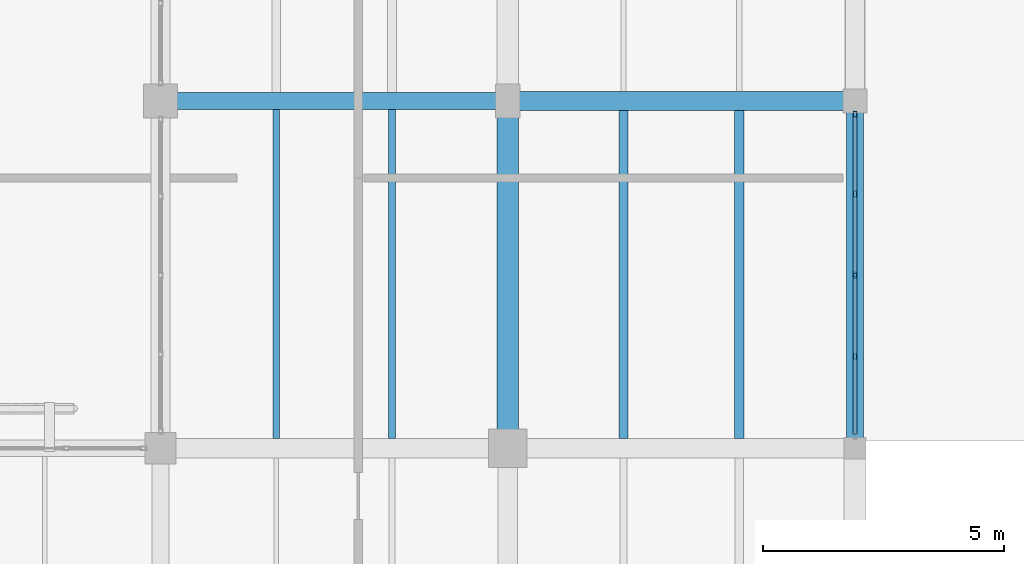
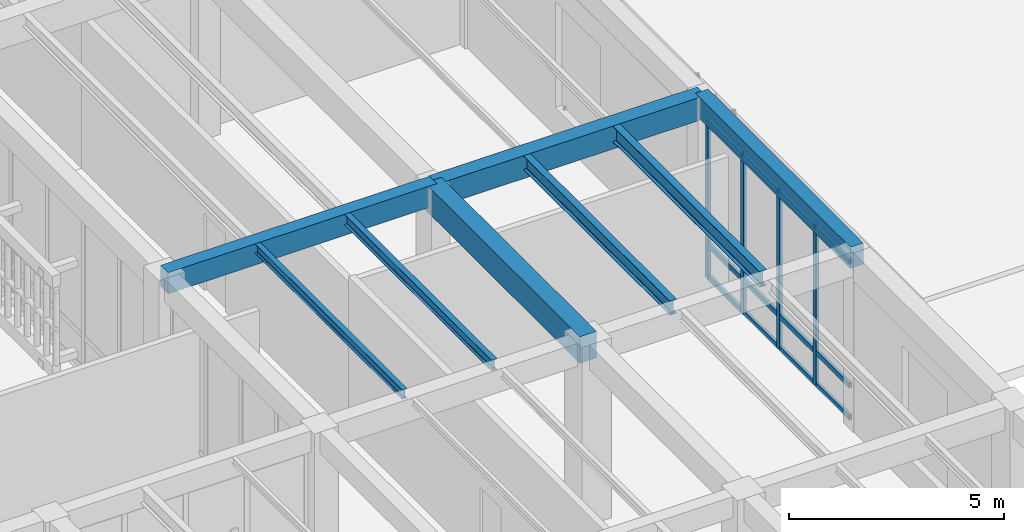
# One storey, part 36 of 169: 16 members, 8 beams, 1 element without a shape of its own.
"""IFC4 building model written with IfcOpenShell, lengths in metres."""

from ifc_helpers import new_model, si_unit, direction, frame, origin, origin_2d, place, context, subcontext, project, spatial, rectangle, hollow_rectangle, i_section, extrude, material, layer, layer_set, material_profile, profile_set, type_object, element, aggregate, save


model = new_model("IFC4")

# Units and contexts
model_context = context("Model", 3, precision=1e-05, world=origin(), true_north=direction((0.0, 1.0)))
body_context = subcontext(model_context, "Body", "Model", "MODEL_VIEW")
ifc_project = project(units=[si_unit("LENGTHUNIT", "METRE"), si_unit("AREAUNIT", "SQUARE_METRE"), si_unit("VOLUMEUNIT", "CUBIC_METRE"), si_unit("PLANEANGLEUNIT", "RADIAN"), si_unit("MASSUNIT", "GRAM", prefix="KILO")], contexts=[model_context])

# Site, building, storey
site_placement = place(None, origin())
site = spatial("IfcSite", under=ifc_project, at=site_placement, CompositionType="ELEMENT")
building_placement = place(site_placement, origin())
building = spatial("IfcBuilding", under=site, at=building_placement, Name="Mazaris Harbour Polytechnic", CompositionType="ELEMENT")
storey_placement = place(building_placement, origin())
storey = spatial("IfcBuildingStorey", under=building, at=storey_placement, Name="L00", CompositionType="ELEMENT", Elevation=0.0)

# Curtain wall, members
ifc_material_1 = material(Name="Anodised Bronze Aluminium and Low-E Glass", Category="aluminium")
ifc_layer = layer(ifc_material_1, 0.159912109375, Name="Anodised Bronze Aluminium and Low-E Glass")
ifc_layer_set = layer_set([ifc_layer], Name="Anodised Bronze Aluminium and Low-E Glass")
curtain_wall_type = type_object("IfcCurtainWallType", Name="Cloister Court Curtain Wall", PredefinedType="NOTDEFINED", material=ifc_layer_set)
curtain_wall_placement = place(storey_placement, origin())
curtain_wall = element("IfcCurtainWall", 1, at=curtain_wall_placement, inside=storey, type_object=curtain_wall_type, Name="V4 L00 Curtain Wall 96", PredefinedType="NOTDEFINED")
ifc_material_2 = material(Name="Anodised Bronze Steel S355", Category="steel")
ifc_material_profile_1 = material_profile(ifc_material_2, hollow_rectangle(XDim=0.080078125, YDim=0.139892578125, WallThickness=0.00634765625, at=origin_2d()), Name="RHS 80x140x6.3")
ifc_profile_set_1 = profile_set([ifc_material_profile_1], Name="Anodised Bronze Steel S355")
member_type_1 = type_object("IfcMemberType", Name="Curtain Mullion RHS80x140", PredefinedType="MULLION", material=ifc_profile_set_1)
member_1_placement = place(storey_placement, frame((43.199951171875, 42.91796875, 0.0), z_axis=(0.0, 0.0, 1.0), x_axis=(1.0, 0.0, 0.0)))
member_1 = element("IfcMember", 2, at=member_1_placement, type_object=member_type_1, Name="CW-02 mullion 1", PredefinedType="MULLION", context=body_context, shape_type="SweptSolid", body=[
    extrude(hollow_rectangle(XDim=0.080078125, YDim=0.139892578125, WallThickness=0.00634765625, at=origin_2d()), origin(), (0.0, 0.0, 1.0), 4.489990234375),
])
member_2_placement = place(storey_placement, frame((43.199951171875, 41.272705078125, 0.0), z_axis=(0.0, 0.0, 1.0), x_axis=(1.0, 0.0, 0.0)))
member_2 = element("IfcMember", 3, at=member_2_placement, type_object=member_type_1, Name="CW-02 mullion 2", PredefinedType="MULLION", context=body_context, shape_type="SweptSolid", body=[
    extrude(hollow_rectangle(XDim=0.080078125, YDim=0.139892578125, WallThickness=0.00634765625, at=origin_2d()), origin(), (0.0, 0.0, 1.0), 4.489990234375),
])
member_3_placement = place(storey_placement, frame((43.199951171875, 39.58740234375, 0.0), z_axis=(0.0, 0.0, 1.0), x_axis=(1.0, 0.0, 0.0)))
member_3 = element("IfcMember", 4, at=member_3_placement, type_object=member_type_1, Name="CW-02 mullion 3", PredefinedType="MULLION", context=body_context, shape_type="SweptSolid", body=[
    extrude(hollow_rectangle(XDim=0.080078125, YDim=0.139892578125, WallThickness=0.00634765625, at=origin_2d()), origin(), (0.0, 0.0, 1.0), 4.489990234375),
])
member_4_placement = place(storey_placement, frame((43.199951171875, 37.90234375, 0.0), z_axis=(0.0, 0.0, 1.0), x_axis=(1.0, 0.0, 0.0)))
member_4 = element("IfcMember", 5, at=member_4_placement, type_object=member_type_1, Name="CW-02 mullion 4", PredefinedType="MULLION", context=body_context, shape_type="SweptSolid", body=[
    extrude(hollow_rectangle(XDim=0.080078125, YDim=0.139892578125, WallThickness=0.00634765625, at=origin_2d()), origin(), (0.0, 0.0, 1.0), 4.489990234375),
])
ifc_material_3 = material(Name="Anodised Bronze Steel S355", Category="steel")
ifc_material_profile_2 = material_profile(ifc_material_3, hollow_rectangle(XDim=0.080078125, YDim=0.139892578125, WallThickness=0.00634765625, at=origin_2d()), Name="RHS 80x140x6.3")
ifc_profile_set_2 = profile_set([ifc_material_profile_2], Name="Anodised Bronze Steel S355")
member_type_2 = type_object("IfcMemberType", Name="Curtain Transom RHS80x140", PredefinedType="USERDEFINED", material=ifc_profile_set_2)
member_5_placement = place(storey_placement, frame((43.199951171875, 42.8779296875, 0.0400390625), z_axis=(0.0, -1.0, 0.0), x_axis=(1.0, 0.0, 0.0)))
member_5 = element("IfcMember", 6, at=member_5_placement, type_object=member_type_2, Name="CW-02 transom 1.1", ObjectType="TRANSOM", PredefinedType="USERDEFINED", context=body_context, shape_type="SweptSolid", body=[
    extrude(hollow_rectangle(XDim=0.080078125, YDim=0.139892578125, WallThickness=0.00634765625, at=origin_2d()), origin(), (0.0, 0.0, 1.0), 1.565185546875),
])
member_6_placement = place(storey_placement, frame((43.199951171875, 42.8779296875, 0.949951171875), z_axis=(0.0, -1.0, 0.0), x_axis=(1.0, 0.0, 0.0)))
member_6 = element("IfcMember", 7, at=member_6_placement, type_object=member_type_2, Name="CW-02 transom 1.2", ObjectType="TRANSOM", PredefinedType="USERDEFINED", context=body_context, shape_type="SweptSolid", body=[
    extrude(hollow_rectangle(XDim=0.080078125, YDim=0.139892578125, WallThickness=0.00634765625, at=origin_2d()), origin(), (0.0, 0.0, 1.0), 1.565185546875),
])
member_7_placement = place(storey_placement, frame((43.199951171875, 42.8779296875, 4.449951171875), z_axis=(0.0, -1.0, 0.0), x_axis=(1.0, 0.0, 0.0)))
member_7 = element("IfcMember", 8, at=member_7_placement, type_object=member_type_2, Name="CW-02 transom 1.3", ObjectType="TRANSOM", PredefinedType="USERDEFINED", context=body_context, shape_type="SweptSolid", body=[
    extrude(hollow_rectangle(XDim=0.080078125, YDim=0.139892578125, WallThickness=0.00634765625, at=origin_2d()), origin(), (0.0, 0.0, 1.0), 1.565185546875),
])
member_8_placement = place(storey_placement, frame((43.199951171875, 41.232666015625, 0.0400390625), z_axis=(0.0, -1.0, 0.0), x_axis=(1.0, 0.0, 0.0)))
member_8 = element("IfcMember", 9, at=member_8_placement, type_object=member_type_2, Name="CW-02 transom 2.1", ObjectType="TRANSOM", PredefinedType="USERDEFINED", context=body_context, shape_type="SweptSolid", body=[
    extrude(hollow_rectangle(XDim=0.080078125, YDim=0.139892578125, WallThickness=0.00634765625, at=origin_2d()), origin(), (0.0, 0.0, 1.0), 1.605224609375),
])
member_9_placement = place(storey_placement, frame((43.199951171875, 41.232666015625, 0.949951171875), z_axis=(0.0, -1.0, 0.0), x_axis=(1.0, 0.0, 0.0)))
member_9 = element("IfcMember", 10, at=member_9_placement, type_object=member_type_2, Name="CW-02 transom 2.2", ObjectType="TRANSOM", PredefinedType="USERDEFINED", context=body_context, shape_type="SweptSolid", body=[
    extrude(hollow_rectangle(XDim=0.080078125, YDim=0.139892578125, WallThickness=0.00634765625, at=origin_2d()), origin(), (0.0, 0.0, 1.0), 1.605224609375),
])
member_10_placement = place(storey_placement, frame((43.199951171875, 41.232666015625, 4.449951171875), z_axis=(0.0, -1.0, 0.0), x_axis=(1.0, 0.0, 0.0)))
member_10 = element("IfcMember", 11, at=member_10_placement, type_object=member_type_2, Name="CW-02 transom 2.3", ObjectType="TRANSOM", PredefinedType="USERDEFINED", context=body_context, shape_type="SweptSolid", body=[
    extrude(hollow_rectangle(XDim=0.080078125, YDim=0.139892578125, WallThickness=0.00634765625, at=origin_2d()), origin(), (0.0, 0.0, 1.0), 1.605224609375),
])
member_11_placement = place(storey_placement, frame((43.199951171875, 39.547607421875, 0.0400390625), z_axis=(0.0, -1.0, 0.0), x_axis=(1.0, 0.0, 0.0)))
member_11 = element("IfcMember", 12, at=member_11_placement, type_object=member_type_2, Name="CW-02 transom 3.1", ObjectType="TRANSOM", PredefinedType="USERDEFINED", context=body_context, shape_type="SweptSolid", body=[
    extrude(hollow_rectangle(XDim=0.080078125, YDim=0.139892578125, WallThickness=0.00634765625, at=origin_2d()), origin(), (0.0, 0.0, 1.0), 1.60546875),
])
member_12_placement = place(storey_placement, frame((43.199951171875, 39.547607421875, 0.949951171875), z_axis=(0.0, -1.0, 0.0), x_axis=(1.0, 0.0, 0.0)))
member_12 = element("IfcMember", 13, at=member_12_placement, type_object=member_type_2, Name="CW-02 transom 3.2", ObjectType="TRANSOM", PredefinedType="USERDEFINED", context=body_context, shape_type="SweptSolid", body=[
    extrude(hollow_rectangle(XDim=0.080078125, YDim=0.139892578125, WallThickness=0.00634765625, at=origin_2d()), origin(), (0.0, 0.0, 1.0), 1.60546875),
])
member_13_placement = place(storey_placement, frame((43.199951171875, 39.547607421875, 4.449951171875), z_axis=(0.0, -1.0, 0.0), x_axis=(1.0, 0.0, 0.0)))
member_13 = element("IfcMember", 14, at=member_13_placement, type_object=member_type_2, Name="CW-02 transom 3.3", ObjectType="TRANSOM", PredefinedType="USERDEFINED", context=body_context, shape_type="SweptSolid", body=[
    extrude(hollow_rectangle(XDim=0.080078125, YDim=0.139892578125, WallThickness=0.00634765625, at=origin_2d()), origin(), (0.0, 0.0, 1.0), 1.60546875),
])
member_14_placement = place(storey_placement, frame((43.199951171875, 37.8623046875, 0.0400390625), z_axis=(0.0, -1.0, 0.0), x_axis=(1.0, 0.0, 0.0)))
member_14 = element("IfcMember", 15, at=member_14_placement, type_object=member_type_2, Name="CW-02 transom 4.1", ObjectType="TRANSOM", PredefinedType="USERDEFINED", context=body_context, shape_type="SweptSolid", body=[
    extrude(hollow_rectangle(XDim=0.080078125, YDim=0.139892578125, WallThickness=0.00634765625, at=origin_2d()), origin(), (0.0, 0.0, 1.0), 1.565185546875),
])
member_15_placement = place(storey_placement, frame((43.199951171875, 37.8623046875, 0.949951171875), z_axis=(0.0, -1.0, 0.0), x_axis=(1.0, 0.0, 0.0)))
member_15 = element("IfcMember", 16, at=member_15_placement, type_object=member_type_2, Name="CW-02 transom 4.2", ObjectType="TRANSOM", PredefinedType="USERDEFINED", context=body_context, shape_type="SweptSolid", body=[
    extrude(hollow_rectangle(XDim=0.080078125, YDim=0.139892578125, WallThickness=0.00634765625, at=origin_2d()), origin(), (0.0, 0.0, 1.0), 1.565185546875),
])
member_16_placement = place(storey_placement, frame((43.199951171875, 37.8623046875, 4.449951171875), z_axis=(0.0, -1.0, 0.0), x_axis=(1.0, 0.0, 0.0)))
member_16 = element("IfcMember", 17, at=member_16_placement, type_object=member_type_2, Name="CW-02 transom 4.3", ObjectType="TRANSOM", PredefinedType="USERDEFINED", context=body_context, shape_type="SweptSolid", body=[
    extrude(hollow_rectangle(XDim=0.080078125, YDim=0.139892578125, WallThickness=0.00634765625, at=origin_2d()), origin(), (0.0, 0.0, 1.0), 1.565185546875),
])
aggregate(curtain_wall, [member_1, member_2, member_3, member_4, member_5, member_6, member_7, member_8, member_9, member_10, member_11, member_12, member_13, member_14, member_15, member_16])

# Beams
ifc_material_4 = material(Name="Concrete C35/45", Category="concrete")
ifc_material_profile_3 = material_profile(ifc_material_4, rectangle(XDim=0.35009765625, YDim=0.60009765625, at=origin_2d()), Name="RECT350x600")
ifc_profile_set_3 = profile_set([ifc_material_profile_3], Name="Concrete C35/45")
beam_type_1 = type_object("IfcBeamType", Name="RC Girder 350x600", PredefinedType="BEAM", material=ifc_profile_set_3)
beam_1_placement = place(storey_placement, frame((28.800048828125, 43.199951171875, 4.800048828125), z_axis=(1.0, 0.0, 0.0), x_axis=(0.0, 1.0, 0.0)))
element("IfcBeam", 18, at=beam_1_placement, inside=storey, type_object=beam_type_1, Name="V4 L00 Girder 1385", PredefinedType="BEAM", context=body_context, shape_type="SweptSolid", body=[
    extrude(rectangle(XDim=0.35009765625, YDim=0.60009765625, at=origin_2d()), origin(), (0.0, 0.0, 1.0), 7.199951171875),
])
ifc_material_5 = material(Name="Concrete C35/45", Category="concrete")
ifc_material_profile_4 = material_profile(ifc_material_5, rectangle(XDim=0.35009765625, YDim=0.60009765625, at=origin_2d()), Name="RECT350x600")
ifc_profile_set_4 = profile_set([ifc_material_profile_4], Name="Concrete C35/45")
beam_type_2 = type_object("IfcBeamType", Name="RC Girder 350x600 Exterior", PredefinedType="BEAM", material=ifc_profile_set_4)
beam_2_placement = place(storey_placement, frame((43.199951171875, 36.0, 4.800048828125), z_axis=(0.0, 1.0, 0.0), x_axis=(-1.0, 0.0, 0.0)))
element("IfcBeam", 19, at=beam_2_placement, inside=storey, type_object=beam_type_2, Name="V4 L00 Tie Girder 1495", PredefinedType="BEAM", context=body_context, shape_type="SweptSolid", body=[
    extrude(rectangle(XDim=0.35009765625, YDim=0.60009765625, at=origin_2d()), origin(), (0.0, 0.0, 1.0), 7.199951171875),
])
ifc_material_6 = material(Name="Concrete C35/45", Category="concrete")
ifc_material_profile_5 = material_profile(ifc_material_6, rectangle(XDim=0.39990234375, YDim=0.64990234375, at=origin_2d()), Name="RECT400x650")
ifc_profile_set_5 = profile_set([ifc_material_profile_5], Name="Concrete C35/45")
beam_type_3 = type_object("IfcBeamType", Name="RC Girder 400x650", PredefinedType="BEAM", material=ifc_profile_set_5)
beam_3_placement = place(storey_placement, frame((36.0, 43.199951171875, 4.77490234375), z_axis=(1.0, 0.0, 0.0), x_axis=(0.0, 1.0, 0.0)))
element("IfcBeam", 20, at=beam_3_placement, inside=storey, type_object=beam_type_3, Name="V4 L00 Girder 1386", PredefinedType="BEAM", context=body_context, shape_type="SweptSolid", body=[
    extrude(rectangle(XDim=0.39990234375, YDim=0.64990234375, at=origin_2d()), origin(), (0.0, 0.0, 1.0), 7.199951171875),
])
ifc_material_7 = material(Name="Concrete C40/50", Category="concrete")
ifc_material_profile_6 = material_profile(ifc_material_7, rectangle(XDim=0.449951171875, YDim=0.75, at=origin_2d()), Name="RECT450x750")
ifc_profile_set_6 = profile_set([ifc_material_profile_6], Name="Concrete C40/50")
beam_type_4 = type_object("IfcBeamType", Name="RC Girder 450x750", PredefinedType="BEAM", material=ifc_profile_set_6)
beam_4_placement = place(storey_placement, frame((36.0, 36.0, 4.72509765625), z_axis=(0.0, 1.0, 0.0), x_axis=(-1.0, 0.0, 0.0)))
element("IfcBeam", 21, at=beam_4_placement, inside=storey, type_object=beam_type_4, Name="V4 L00 Tie Girder 1483", PredefinedType="BEAM", context=body_context, shape_type="SweptSolid", body=[
    extrude(rectangle(XDim=0.449951171875, YDim=0.75, at=origin_2d()), origin(), (0.0, 0.0, 1.0), 7.199951171875),
])
ifc_material_8 = material(Name="Steel S355", Category="steel")
ifc_material_profile_7 = material_profile(ifc_material_8, i_section(OverallWidth=0.135009765625, OverallDepth=0.27001953125, WebThickness=0.006591796875, FlangeThickness=0.01025390625, FilletRadius=0.014892578125, at=origin_2d()), Name="IPE 270")
ifc_profile_set_7 = profile_set([ifc_material_profile_7], Name="Steel S355")
beam_type_5 = type_object("IfcBeamType", Name="Steel Joist IPE270", PredefinedType="JOIST", material=ifc_profile_set_7)
beam_5_placement = place(storey_placement, frame((31.199951171875, 36.199951171875, 4.965087890625), z_axis=(0.0, 1.0, 0.0), x_axis=(-1.0, 0.0, 0.0)))
element("IfcBeam", 22, at=beam_5_placement, inside=storey, type_object=beam_type_5, Name="V4 L00 Floor Joist 1584", PredefinedType="JOIST", context=body_context, shape_type="SweptSolid", body=[
    extrude(i_section(OverallWidth=0.135009765625, OverallDepth=0.27001953125, WebThickness=0.006591796875, FlangeThickness=0.01025390625, FilletRadius=0.014892578125, at=origin_2d()), origin(), (0.0, 0.0, 1.0), 6.824951171875),
])
ifc_material_9 = material(Name="Steel S355", Category="steel")
ifc_material_profile_8 = material_profile(ifc_material_9, i_section(OverallWidth=0.14990234375, OverallDepth=0.300048828125, WebThickness=0.007080078125, FlangeThickness=0.0107421875, FilletRadius=0.014892578125, at=origin_2d()), Name="IPE 300")
ifc_profile_set_8 = profile_set([ifc_material_profile_8], Name="Steel S355")
beam_type_6 = type_object("IfcBeamType", Name="Steel Joist IPE300", PredefinedType="JOIST", material=ifc_profile_set_8)
beam_6_placement = place(storey_placement, frame((33.60009765625, 36.199951171875, 4.949951171875), z_axis=(0.0, 1.0, 0.0), x_axis=(-1.0, 0.0, 0.0)))
element("IfcBeam", 23, at=beam_6_placement, inside=storey, type_object=beam_type_6, Name="V4 L00 Floor Joist 1585", PredefinedType="JOIST", context=body_context, shape_type="SweptSolid", body=[
    extrude(i_section(OverallWidth=0.14990234375, OverallDepth=0.300048828125, WebThickness=0.007080078125, FlangeThickness=0.0107421875, FilletRadius=0.014892578125, at=origin_2d()), origin(), (0.0, 0.0, 1.0), 6.824951171875),
])
ifc_material_10 = material(Name="Steel S355", Category="steel")
ifc_material_profile_9 = material_profile(ifc_material_10, i_section(OverallWidth=0.179931640625, OverallDepth=0.39990234375, WebThickness=0.008544921875, FlangeThickness=0.013427734375, FilletRadius=0.02099609375, at=origin_2d()), Name="IPE 400")
ifc_profile_set_9 = profile_set([ifc_material_profile_9], Name="Steel S355")
beam_type_7 = type_object("IfcBeamType", Name="Steel Joist IPE400", PredefinedType="JOIST", material=ifc_profile_set_9)
beam_7_placement = place(storey_placement, frame((38.39990234375, 36.199951171875, 4.89990234375), z_axis=(0.0, 1.0, 0.0), x_axis=(-1.0, 0.0, 0.0)))
element("IfcBeam", 24, at=beam_7_placement, inside=storey, type_object=beam_type_7, Name="V4 L00 Floor Joist 1608", PredefinedType="JOIST", context=body_context, shape_type="SweptSolid", body=[
    extrude(i_section(OverallWidth=0.179931640625, OverallDepth=0.39990234375, WebThickness=0.008544921875, FlangeThickness=0.013427734375, FilletRadius=0.02099609375, at=origin_2d()), origin(), (0.0, 0.0, 1.0), 6.800048828125),
])
ifc_material_11 = material(Name="Steel S355", Category="steel")
ifc_material_profile_10 = material_profile(ifc_material_11, i_section(OverallWidth=0.18994140625, OverallDepth=0.449951171875, WebThickness=0.009521484375, FlangeThickness=0.0146484375, FilletRadius=0.02099609375, at=origin_2d()), Name="IPE 450")
ifc_profile_set_10 = profile_set([ifc_material_profile_10], Name="Steel S355")
beam_type_8 = type_object("IfcBeamType", Name="Steel Joist IPE450", PredefinedType="JOIST", material=ifc_profile_set_10)
beam_8_placement = place(storey_placement, frame((40.800048828125, 36.199951171875, 4.875), z_axis=(0.0, 1.0, 0.0), x_axis=(-1.0, 0.0, 0.0)))
element("IfcBeam", 25, at=beam_8_placement, inside=storey, type_object=beam_type_8, Name="V4 L00 Floor Joist 1609", PredefinedType="JOIST", context=body_context, shape_type="SweptSolid", body=[
    extrude(i_section(OverallWidth=0.18994140625, OverallDepth=0.449951171875, WebThickness=0.009521484375, FlangeThickness=0.0146484375, FilletRadius=0.02099609375, at=origin_2d()), origin(), (0.0, 0.0, 1.0), 6.800048828125),
])

save(model, "model.ifc")
